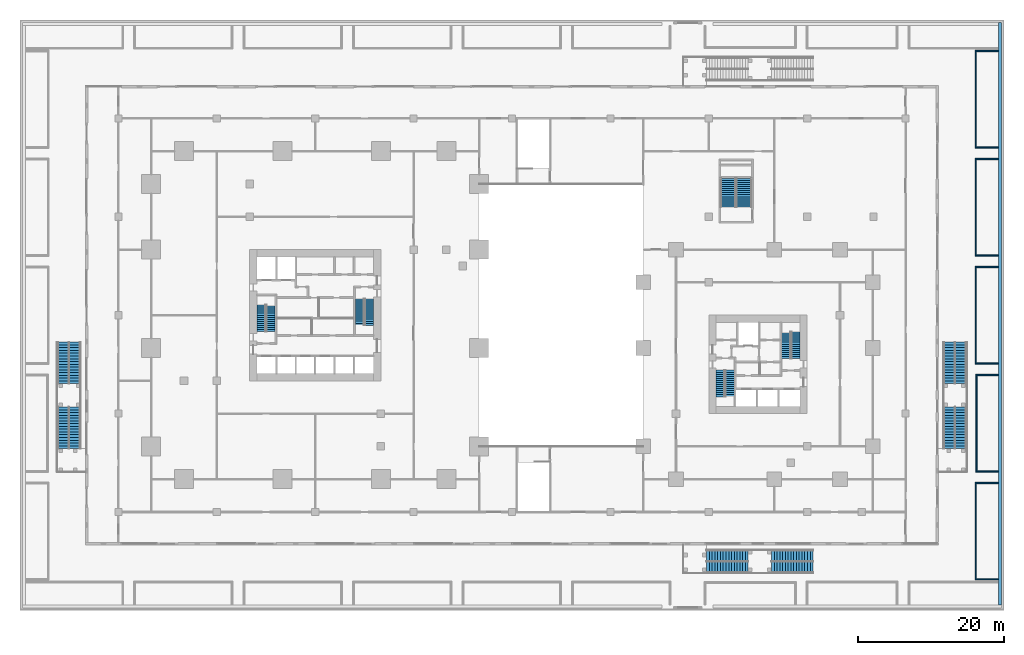
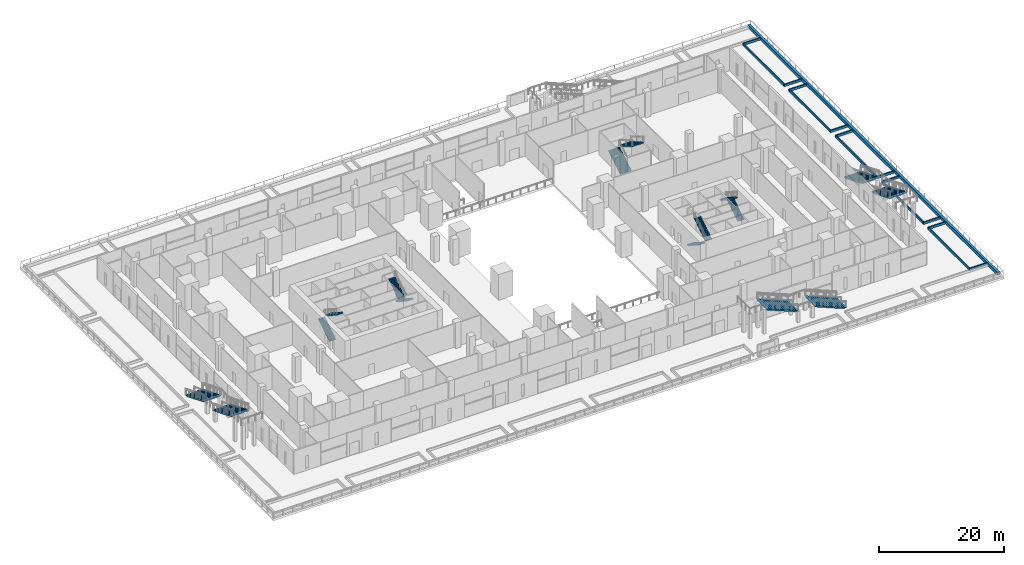
# One storey, part 42 of 49: 16 stair flights, 16 walls, 8 elements without a shape of their own.
"""IFC4 building model written with IfcOpenShell, lengths in metres."""

from ifc_helpers import new_model, si_unit, direction, frame, frame_2d, origin, place, context, subcontext, project, spatial, polyline, rectangle, outline, extrude, material, layer, layer_set, type_object, element, aggregate, save


model = new_model("IFC4")

# Units and contexts
model_context = context("Model", 3, precision=1e-05, world=origin(), true_north=direction((0.0, 1.0)))
body_context = subcontext(model_context, "Body", "Model", "MODEL_VIEW")
ifc_project = project(units=[si_unit("LENGTHUNIT", "METRE"), si_unit("AREAUNIT", "SQUARE_METRE"), si_unit("VOLUMEUNIT", "CUBIC_METRE"), si_unit("PLANEANGLEUNIT", "RADIAN"), si_unit("MASSUNIT", "GRAM", prefix="KILO")], contexts=[model_context])

# Site, building, storey
site_placement = place(None, origin())
site = spatial("IfcSite", under=ifc_project, at=site_placement, CompositionType="ELEMENT")
building_placement = place(site_placement, origin())
building = spatial("IfcBuilding", under=site, at=building_placement, Name="Altepetl Exchange Towers", CompositionType="ELEMENT")
storey_placement = place(building_placement, frame((0.0, 0.0, 11.5)))
storey = spatial("IfcBuildingStorey", under=building, at=storey_placement, Name="L02 Exchange podium", CompositionType="ELEMENT", Elevation=11.5)

# Walls
ifc_material_1 = material(Name="Concrete C30/37", Category="concrete")
ifc_layer_1 = layer(ifc_material_1, 0.449951171875)
ifc_layer_set_1 = layer_set([ifc_layer_1], Name="Concrete C30/37")
wall_type_1 = type_object("IfcWallType", Name="Planter wall 450 concrete", PredefinedType="SOLIDWALL", material=ifc_layer_set_1)
wall_1_placement = place(storey_placement, frame((143.449951171875, 9.77490234375, 0.0), z_axis=(0.0, 0.0, 1.0), x_axis=(0.0, 1.0, 0.0)))
element("IfcWall", 1, at=wall_1_placement, inside=storey, type_object=wall_type_1, Name="Planter bed wall", PredefinedType="SOLIDWALL", context=body_context, shape_type="SweptSolid", body=[
    extrude(rectangle(XDim=79.900146484375, YDim=0.449951171875, at=frame_2d((39.9501953125, 0.0))), origin(), (0.0, 0.0, 1.0), 0.60009765625),
])
ifc_material_2 = material(Name="Reinforced concrete C35/45", Category="concrete")
ifc_layer_2 = layer(ifc_material_2, 0.199951171875)
ifc_layer_set_2 = layer_set([ifc_layer_2], Name="Reinforced concrete C35/45")
wall_type_2 = type_object("IfcWallType", Name="Planting bed curb 200", PredefinedType="SOLIDWALL", material=ifc_layer_set_2)
for number, where, name in (
    (2, (140.02490234375, 26.485107421875, 0.0), "wall:P:L02:CB24n"),
    (3, (140.02490234375, 13.27490234375, 0.0), "wall:P:L02:CB24s"),
):
    element("IfcWall", number, at=place(storey_placement, frame(where)), inside=storey, type_object=wall_type_2, Name=name, PredefinedType="SOLIDWALL", context=body_context, shape_type="SweptSolid", body=[
        extrude(rectangle(XDim=3.2001953125, YDim=0.199951171875, at=frame_2d((1.60009765625, 0.0))), origin(), (0.0, 0.0, 1.0), 0.449951171875),
    ])
wall_2_placement = place(storey_placement, frame((140.125, 13.375, 0.0), z_axis=(0.0, 0.0, 1.0), x_axis=(0.0, 1.0, 0.0)))
element("IfcWall", 4, at=wall_2_placement, inside=storey, type_object=wall_type_2, Name="wall:P:L02:CB24w", PredefinedType="SOLIDWALL", context=body_context, shape_type="SweptSolid", body=[
    extrude(rectangle(XDim=13.010009765625, YDim=0.199951171875, at=frame_2d((6.5048828125, 0.0))), origin(), (0.0, 0.0, 1.0), 0.449951171875),
])
for number, where, name in (
    (5, (140.10009765625, 41.294921875, 0.0), "wall:P:L02:CB25n"),
    (6, (140.10009765625, 28.0849609375, 0.0), "wall:P:L02:CB25s"),
):
    element("IfcWall", number, at=place(storey_placement, frame(where)), inside=storey, type_object=wall_type_2, Name=name, PredefinedType="SOLIDWALL", context=body_context, shape_type="SweptSolid", body=[
        extrude(rectangle(XDim=3.125, YDim=0.199951171875, at=frame_2d((1.5625, 0.0))), origin(), (0.0, 0.0, 1.0), 0.449951171875),
    ])
wall_3_placement = place(storey_placement, frame((140.199951171875, 28.18505859375, 0.0), z_axis=(0.0, 0.0, 1.0), x_axis=(0.0, 1.0, 0.0)))
element("IfcWall", 7, at=wall_3_placement, inside=storey, type_object=wall_type_2, Name="wall:P:L02:CB25w", PredefinedType="SOLIDWALL", context=body_context, shape_type="SweptSolid", body=[
    extrude(rectangle(XDim=13.010009765625, YDim=0.199951171875, at=frame_2d((6.5048828125, 0.0))), origin(), (0.0, 0.0, 1.0), 0.449951171875),
])
for number, where, name in (
    (8, (140.02490234375, 56.10498046875, 0.0), "wall:P:L02:CB26n"),
    (9, (140.02490234375, 42.89501953125, 0.0), "wall:P:L02:CB26s"),
):
    element("IfcWall", number, at=place(storey_placement, frame(where)), inside=storey, type_object=wall_type_2, Name=name, PredefinedType="SOLIDWALL", context=body_context, shape_type="SweptSolid", body=[
        extrude(rectangle(XDim=3.2001953125, YDim=0.199951171875, at=frame_2d((1.60009765625, 0.0))), origin(), (0.0, 0.0, 1.0), 0.449951171875),
    ])
wall_4_placement = place(storey_placement, frame((140.125, 42.9951171875, 0.0), z_axis=(0.0, 0.0, 1.0), x_axis=(0.0, 1.0, 0.0)))
element("IfcWall", 10, at=wall_4_placement, inside=storey, type_object=wall_type_2, Name="wall:P:L02:CB26w", PredefinedType="SOLIDWALL", context=body_context, shape_type="SweptSolid", body=[
    extrude(rectangle(XDim=13.009765625, YDim=0.199951171875, at=frame_2d((6.5048828125, 0.0))), origin(), (0.0, 0.0, 1.0), 0.449951171875),
])
for number, where, name in (
    (11, (140.02490234375, 70.9150390625, 0.0), "wall:P:L02:CB27n"),
    (12, (140.02490234375, 57.705078125, 0.0), "wall:P:L02:CB27s"),
):
    element("IfcWall", number, at=place(storey_placement, frame(where)), inside=storey, type_object=wall_type_2, Name=name, PredefinedType="SOLIDWALL", context=body_context, shape_type="SweptSolid", body=[
        extrude(rectangle(XDim=3.2001953125, YDim=0.199951171875, at=frame_2d((1.60009765625, 0.0))), origin(), (0.0, 0.0, 1.0), 0.449951171875),
    ])
wall_5_placement = place(storey_placement, frame((140.125, 57.804931640625, 0.0), z_axis=(0.0, 0.0, 1.0), x_axis=(0.0, 1.0, 0.0)))
element("IfcWall", 13, at=wall_5_placement, inside=storey, type_object=wall_type_2, Name="wall:P:L02:CB27w", PredefinedType="SOLIDWALL", context=body_context, shape_type="SweptSolid", body=[
    extrude(rectangle(XDim=13.010009765625, YDim=0.199951171875, at=frame_2d((6.5048828125, 0.0))), origin(), (0.0, 0.0, 1.0), 0.449951171875),
])
for number, where, name in (
    (14, (140.02490234375, 85.72509765625, 0.0), "wall:P:L02:CB28n"),
    (15, (140.02490234375, 72.514892578125, 0.0), "wall:P:L02:CB28s"),
):
    element("IfcWall", number, at=place(storey_placement, frame(where)), inside=storey, type_object=wall_type_2, Name=name, PredefinedType="SOLIDWALL", context=body_context, shape_type="SweptSolid", body=[
        extrude(rectangle(XDim=3.2001953125, YDim=0.199951171875, at=frame_2d((1.60009765625, 0.0))), origin(), (0.0, 0.0, 1.0), 0.449951171875),
    ])
wall_6_placement = place(storey_placement, frame((140.125, 72.614990234375, 0.0), z_axis=(0.0, 0.0, 1.0), x_axis=(0.0, 1.0, 0.0)))
element("IfcWall", 16, at=wall_6_placement, inside=storey, type_object=wall_type_2, Name="wall:P:L02:CB28w", PredefinedType="SOLIDWALL", context=body_context, shape_type="SweptSolid", body=[
    extrude(rectangle(XDim=13.010009765625, YDim=0.199951171875, at=frame_2d((6.5048828125, 0.0))), origin(), (0.0, 0.0, 1.0), 0.449951171875),
])

# Stair, stair flights
stair_type_1 = type_object("IfcStairType", Name="Exit garden steps 3200", PredefinedType="TWO_STRAIGHT_RUN_STAIR", material=ifc_material_2)
stair_1_placement = place(storey_placement, origin())
stair_1 = element("IfcStair", 17, at=stair_1_placement, inside=storey, type_object=stair_type_1, Name="ST-G9 exit garden steps", PredefinedType="TWO_STRAIGHT_RUN_STAIR")
stair_flight_type_1 = type_object("IfcStairFlightType", Name="Exit garden steps flight 3200", PredefinedType="STRAIGHT", material=ifc_material_2)
stair_flight_1_placement = place(storey_placement, frame((108.89990234375, 15.699951171875, 2.5), z_axis=(0.0, 0.0, 1.0), x_axis=(-1.0, 0.0, 0.0)))
stair_flight_1 = element("IfcStairFlight", 18, at=stair_flight_1_placement, type_object=stair_flight_type_1, Name="ST-G9 flight 1", NumberOfRisers=16, NumberOfTreads=15, PredefinedType="STRAIGHT", RiserHeight=0.15625, TreadLength=0.38, context=body_context, shape_type="SweptSolid", body=[
    extrude(outline(polyline([(0.0, 0.0), (0.0, 0.15625), (0.3798828125, 0.15625), (0.3798828125, 0.3125), (0.760009765625, 0.3125), (0.760009765625, 0.46875), (1.139892578125, 0.46875), (1.139892578125, 0.625), (1.52001953125, 0.625), (1.52001953125, 0.78125), (1.89990234375, 0.78125), (1.89990234375, 0.9375), (2.280029296875, 0.9375), (2.280029296875, 1.09375), (2.659912109375, 1.09375), (2.659912109375, 1.25), (3.0400390625, 1.25), (3.0400390625, 1.40625), (3.419921875, 1.40625), (3.419921875, 1.5625), (3.800048828125, 1.5625), (3.800048828125, 1.71875), (4.179931640625, 1.71875), (4.179931640625, 1.875), (4.56005859375, 1.875), (4.56005859375, 2.03125), (4.93994140625, 2.03125), (4.93994140625, 2.1875), (5.320068359375, 2.1875), (5.320068359375, 2.34375), (5.699951171875, 2.34375), (5.699951171875, 2.5), (5.699951171875, 2.12744140625), (0.52587890625, 0.0), (0.0, 0.0)])), frame((0.0, 1.60009765625, 0.0), z_axis=(0.0, -1.0, 0.0), x_axis=(1.0, 0.0, 0.0)), (0.0, 0.0, 1.0), 3.199951171875),
])
stair_flight_2_placement = place(storey_placement, frame((117.800048828125, 15.699951171875, 0.0), z_axis=(0.0, 0.0, 1.0), x_axis=(-1.0, 0.0, 0.0)))
stair_flight_2 = element("IfcStairFlight", 19, at=stair_flight_2_placement, type_object=stair_flight_type_1, Name="ST-G9 flight 2", NumberOfRisers=16, NumberOfTreads=15, PredefinedType="STRAIGHT", RiserHeight=0.15625, TreadLength=0.38, context=body_context, shape_type="SweptSolid", body=[
    extrude(outline(polyline([(0.0, 0.0), (0.0, 0.15625), (0.3798828125, 0.15625), (0.3798828125, 0.3125), (0.760009765625, 0.3125), (0.760009765625, 0.46875), (1.139892578125, 0.46875), (1.139892578125, 0.625), (1.52001953125, 0.625), (1.52001953125, 0.78125), (1.89990234375, 0.78125), (1.89990234375, 0.9375), (2.280029296875, 0.9375), (2.280029296875, 1.09375), (2.659912109375, 1.09375), (2.659912109375, 1.25), (3.0400390625, 1.25), (3.0400390625, 1.40625), (3.419921875, 1.40625), (3.419921875, 1.5625), (3.800048828125, 1.5625), (3.800048828125, 1.71875), (4.179931640625, 1.71875), (4.179931640625, 1.875), (4.56005859375, 1.875), (4.56005859375, 2.03125), (4.93994140625, 2.03125), (4.93994140625, 2.1875), (5.320068359375, 2.1875), (5.320068359375, 2.34375), (5.699951171875, 2.34375), (5.699951171875, 2.5), (5.699951171875, 2.12744140625), (0.52587890625, 0.0), (0.0, 0.0)])), frame((0.0, 1.60009765625, 0.0), z_axis=(0.0, -1.0, 0.0), x_axis=(1.0, 0.0, 0.0)), (0.0, 0.0, 1.0), 3.199951171875),
])
aggregate(stair_1, [stair_flight_1, stair_flight_2])

stair_2_placement = place(storey_placement, origin())
stair_2 = element("IfcStair", 20, at=stair_2_placement, inside=storey, type_object=stair_type_1, Name="ST-G15 exit garden steps", PredefinedType="TWO_STRAIGHT_RUN_STAIR")
stair_flight_3_placement = place(storey_placement, frame((15.699951171875, 36.89990234375, 2.5), z_axis=(0.0, 0.0, 1.0), x_axis=(0.0, -1.0, 0.0)))
stair_flight_3 = element("IfcStairFlight", 21, at=stair_flight_3_placement, type_object=stair_flight_type_1, Name="ST-G15 flight 1", NumberOfRisers=16, NumberOfTreads=15, PredefinedType="STRAIGHT", RiserHeight=0.15625, TreadLength=0.38, context=body_context, shape_type="SweptSolid", body=[
    extrude(outline(polyline([(0.0, 0.0), (0.0, 0.15625), (0.3798828125, 0.15625), (0.3798828125, 0.3125), (0.760009765625, 0.3125), (0.760009765625, 0.46875), (1.139892578125, 0.46875), (1.139892578125, 0.625), (1.52001953125, 0.625), (1.52001953125, 0.78125), (1.89990234375, 0.78125), (1.89990234375, 0.9375), (2.280029296875, 0.9375), (2.280029296875, 1.09375), (2.659912109375, 1.09375), (2.659912109375, 1.25), (3.0400390625, 1.25), (3.0400390625, 1.40625), (3.419921875, 1.40625), (3.419921875, 1.5625), (3.800048828125, 1.5625), (3.800048828125, 1.71875), (4.179931640625, 1.71875), (4.179931640625, 1.875), (4.56005859375, 1.875), (4.56005859375, 2.03125), (4.93994140625, 2.03125), (4.93994140625, 2.1875), (5.320068359375, 2.1875), (5.320068359375, 2.34375), (5.699951171875, 2.34375), (5.699951171875, 2.5), (5.699951171875, 2.12744140625), (0.52587890625, 0.0), (0.0, 0.0)])), frame((0.0, 1.60009765625, 0.0), z_axis=(0.0, -1.0, 0.0), x_axis=(1.0, 0.0, 0.0)), (0.0, 0.0, 1.0), 3.199951171875),
])
stair_flight_4_placement = place(storey_placement, frame((15.699951171875, 45.800048828125, 0.0), z_axis=(0.0, 0.0, 1.0), x_axis=(0.0, -1.0, 0.0)))
stair_flight_4 = element("IfcStairFlight", 22, at=stair_flight_4_placement, type_object=stair_flight_type_1, Name="ST-G15 flight 2", NumberOfRisers=16, NumberOfTreads=15, PredefinedType="STRAIGHT", RiserHeight=0.15625, TreadLength=0.38, context=body_context, shape_type="SweptSolid", body=[
    extrude(outline(polyline([(0.0, 0.0), (0.0, 0.15625), (0.3798828125, 0.15625), (0.3798828125, 0.3125), (0.760009765625, 0.3125), (0.760009765625, 0.46875), (1.139892578125, 0.46875), (1.139892578125, 0.625), (1.52001953125, 0.625), (1.52001953125, 0.78125), (1.89990234375, 0.78125), (1.89990234375, 0.9375), (2.280029296875, 0.9375), (2.280029296875, 1.09375), (2.659912109375, 1.09375), (2.659912109375, 1.25), (3.0400390625, 1.25), (3.0400390625, 1.40625), (3.419921875, 1.40625), (3.419921875, 1.5625), (3.800048828125, 1.5625), (3.800048828125, 1.71875), (4.179931640625, 1.71875), (4.179931640625, 1.875), (4.56005859375, 1.875), (4.56005859375, 2.03125), (4.93994140625, 2.03125), (4.93994140625, 2.1875), (5.320068359375, 2.1875), (5.320068359375, 2.34375), (5.699951171875, 2.34375), (5.699951171875, 2.5), (5.699951171875, 2.12744140625), (0.52587890625, 0.0), (0.0, 0.0)])), frame((0.0, 1.60009765625, 0.0), z_axis=(0.0, -1.0, 0.0), x_axis=(1.0, 0.0, 0.0)), (0.0, 0.0, 1.0), 3.199951171875),
])
aggregate(stair_2, [stair_flight_3, stair_flight_4])

stair_3_placement = place(storey_placement, origin())
stair_3 = element("IfcStair", 23, at=stair_3_placement, inside=storey, type_object=stair_type_1, Name="ST-G16 exit garden steps", PredefinedType="TWO_STRAIGHT_RUN_STAIR")
stair_flight_5_placement = place(storey_placement, frame((137.300048828125, 36.89990234375, 2.5), z_axis=(0.0, 0.0, 1.0), x_axis=(0.0, -1.0, 0.0)))
stair_flight_5 = element("IfcStairFlight", 24, at=stair_flight_5_placement, type_object=stair_flight_type_1, Name="ST-G16 flight 1", NumberOfRisers=16, NumberOfTreads=15, PredefinedType="STRAIGHT", RiserHeight=0.15625, TreadLength=0.38, context=body_context, shape_type="SweptSolid", body=[
    extrude(outline(polyline([(0.0, 0.0), (0.0, 0.15625), (0.3798828125, 0.15625), (0.3798828125, 0.3125), (0.760009765625, 0.3125), (0.760009765625, 0.46875), (1.139892578125, 0.46875), (1.139892578125, 0.625), (1.52001953125, 0.625), (1.52001953125, 0.78125), (1.89990234375, 0.78125), (1.89990234375, 0.9375), (2.280029296875, 0.9375), (2.280029296875, 1.09375), (2.659912109375, 1.09375), (2.659912109375, 1.25), (3.0400390625, 1.25), (3.0400390625, 1.40625), (3.419921875, 1.40625), (3.419921875, 1.5625), (3.800048828125, 1.5625), (3.800048828125, 1.71875), (4.179931640625, 1.71875), (4.179931640625, 1.875), (4.56005859375, 1.875), (4.56005859375, 2.03125), (4.93994140625, 2.03125), (4.93994140625, 2.1875), (5.320068359375, 2.1875), (5.320068359375, 2.34375), (5.699951171875, 2.34375), (5.699951171875, 2.5), (5.699951171875, 2.12744140625), (0.52587890625, 0.0), (0.0, 0.0)])), frame((0.0, 1.60009765625, 0.0), z_axis=(0.0, -1.0, 0.0), x_axis=(1.0, 0.0, 0.0)), (0.0, 0.0, 1.0), 3.199951171875),
])
stair_flight_6_placement = place(storey_placement, frame((137.300048828125, 45.800048828125, 0.0), z_axis=(0.0, 0.0, 1.0), x_axis=(0.0, -1.0, 0.0)))
stair_flight_6 = element("IfcStairFlight", 25, at=stair_flight_6_placement, type_object=stair_flight_type_1, Name="ST-G16 flight 2", NumberOfRisers=16, NumberOfTreads=15, PredefinedType="STRAIGHT", RiserHeight=0.15625, TreadLength=0.38, context=body_context, shape_type="SweptSolid", body=[
    extrude(outline(polyline([(0.0, 0.0), (0.0, 0.15625), (0.3798828125, 0.15625), (0.3798828125, 0.3125), (0.760009765625, 0.3125), (0.760009765625, 0.46875), (1.139892578125, 0.46875), (1.139892578125, 0.625), (1.52001953125, 0.625), (1.52001953125, 0.78125), (1.89990234375, 0.78125), (1.89990234375, 0.9375), (2.280029296875, 0.9375), (2.280029296875, 1.09375), (2.659912109375, 1.09375), (2.659912109375, 1.25), (3.0400390625, 1.25), (3.0400390625, 1.40625), (3.419921875, 1.40625), (3.419921875, 1.5625), (3.800048828125, 1.5625), (3.800048828125, 1.71875), (4.179931640625, 1.71875), (4.179931640625, 1.875), (4.56005859375, 1.875), (4.56005859375, 2.03125), (4.93994140625, 2.03125), (4.93994140625, 2.1875), (5.320068359375, 2.1875), (5.320068359375, 2.34375), (5.699951171875, 2.34375), (5.699951171875, 2.5), (5.699951171875, 2.12744140625), (0.52587890625, 0.0), (0.0, 0.0)])), frame((0.0, 1.60009765625, 0.0), z_axis=(0.0, -1.0, 0.0), x_axis=(1.0, 0.0, 0.0)), (0.0, 0.0, 1.0), 3.199951171875),
])
aggregate(stair_3, [stair_flight_5, stair_flight_6])

ifc_material_3 = material(Name="Concrete C40/50", Category="concrete")
stair_type_2 = type_object("IfcStairType", Name="Exit stair 1200 flights dogleg", PredefinedType="HALF_TURN_STAIR", material=ifc_material_3)
stair_4_placement = place(storey_placement, origin())
stair_4 = element("IfcStair", 26, at=stair_4_placement, inside=storey, type_object=stair_type_2, Name="Exit stair 1", PredefinedType="HALF_TURN_STAIR")
stair_flight_type_2 = type_object("IfcStairFlightType", Name="Stair flight 1200 wide", PredefinedType="STRAIGHT", material=ifc_material_3)
stair_flight_7_placement = place(storey_placement, frame((42.10009765625, 47.25, 0.0), z_axis=(0.0, 0.0, 1.0), x_axis=(0.0, 1.0, 0.0)))
stair_flight_7 = element("IfcStairFlight", 27, at=stair_flight_7_placement, type_object=stair_flight_type_2, Name="ST-A1a flight 1", NumberOfRisers=14, NumberOfTreads=13, PredefinedType="STRAIGHT", RiserHeight=0.178571429, TreadLength=0.28, context=body_context, shape_type="SweptSolid", body=[
    extrude(outline(polyline([(0.0, 0.0), (0.0, 0.178466796875), (0.280029296875, 0.178466796875), (0.280029296875, 0.357177734375), (0.56005859375, 0.357177734375), (0.56005859375, 0.53564453125), (0.840087890625, 0.53564453125), (0.840087890625, 0.71435546875), (1.1201171875, 0.71435546875), (1.1201171875, 0.892822265625), (1.39990234375, 0.892822265625), (1.39990234375, 1.071533203125), (1.679931640625, 1.071533203125), (1.679931640625, 1.25), (1.9599609375, 1.25), (1.9599609375, 1.428466796875), (2.239990234375, 1.428466796875), (2.239990234375, 1.607177734375), (2.52001953125, 1.607177734375), (2.52001953125, 1.78564453125), (2.800048828125, 1.78564453125), (2.800048828125, 1.96435546875), (3.080078125, 1.96435546875), (3.080078125, 2.142822265625), (3.360107421875, 2.142822265625), (3.360107421875, 2.321533203125), (3.639892578125, 2.321533203125), (3.639892578125, 2.5), (3.639892578125, 2.1435546875), (0.27880859375, 0.0), (0.0, 0.0)])), frame((0.0, 0.60009765625, 0.0), z_axis=(0.0, -1.0, 0.0), x_axis=(1.0, 0.0, 0.0)), (0.0, 0.0, 1.0), 1.199951171875),
])
stair_flight_8_placement = place(storey_placement, frame((43.39990234375, 50.889892578125, 2.5), z_axis=(0.0, 0.0, 1.0), x_axis=(0.0, -1.0, 0.0)))
stair_flight_8 = element("IfcStairFlight", 28, at=stair_flight_8_placement, type_object=stair_flight_type_2, Name="ST-A1a flight 2", NumberOfRisers=14, NumberOfTreads=13, PredefinedType="STRAIGHT", RiserHeight=0.178571429, TreadLength=0.28, context=body_context, shape_type="SweptSolid", body=[
    extrude(outline(polyline([(0.0, 0.0), (0.0, 0.178466796875), (0.280029296875, 0.178466796875), (0.280029296875, 0.357177734375), (0.56005859375, 0.357177734375), (0.56005859375, 0.53564453125), (0.840087890625, 0.53564453125), (0.840087890625, 0.71435546875), (1.1201171875, 0.71435546875), (1.1201171875, 0.892822265625), (1.39990234375, 0.892822265625), (1.39990234375, 1.071533203125), (1.679931640625, 1.071533203125), (1.679931640625, 1.25), (1.9599609375, 1.25), (1.9599609375, 1.428466796875), (2.239990234375, 1.428466796875), (2.239990234375, 1.607177734375), (2.52001953125, 1.607177734375), (2.52001953125, 1.78564453125), (2.800048828125, 1.78564453125), (2.800048828125, 1.96435546875), (3.080078125, 1.96435546875), (3.080078125, 2.142822265625), (3.360107421875, 2.142822265625), (3.360107421875, 2.321533203125), (3.639892578125, 2.321533203125), (3.639892578125, 2.5), (3.639892578125, 2.1435546875), (0.27880859375, 0.0), (0.0, 0.0)])), frame((0.0, 0.60009765625, 0.0), z_axis=(0.0, -1.0, 0.0), x_axis=(1.0, 0.0, 0.0)), (0.0, 0.0, 1.0), 1.199951171875),
])
aggregate(stair_4, [stair_flight_7, stair_flight_8])

stair_5_placement = place(storey_placement, origin())
stair_5 = element("IfcStair", 29, at=stair_5_placement, inside=storey, type_object=stair_type_2, Name="Exit stair 2", PredefinedType="HALF_TURN_STAIR")
stair_flight_9_placement = place(storey_placement, frame((56.89990234375, 51.75, 0.0), z_axis=(0.0, 0.0, 1.0), x_axis=(0.0, -1.0, 0.0)))
stair_flight_9 = element("IfcStairFlight", 30, at=stair_flight_9_placement, type_object=stair_flight_type_2, Name="ST-A2a flight 1", NumberOfRisers=14, NumberOfTreads=13, PredefinedType="STRAIGHT", RiserHeight=0.178571429, TreadLength=0.28, context=body_context, shape_type="SweptSolid", body=[
    extrude(outline(polyline([(0.0, 0.0), (0.0, 0.178466796875), (0.280029296875, 0.178466796875), (0.280029296875, 0.357177734375), (0.56005859375, 0.357177734375), (0.56005859375, 0.53564453125), (0.840087890625, 0.53564453125), (0.840087890625, 0.71435546875), (1.1201171875, 0.71435546875), (1.1201171875, 0.892822265625), (1.39990234375, 0.892822265625), (1.39990234375, 1.071533203125), (1.679931640625, 1.071533203125), (1.679931640625, 1.25), (1.9599609375, 1.25), (1.9599609375, 1.428466796875), (2.239990234375, 1.428466796875), (2.239990234375, 1.607177734375), (2.52001953125, 1.607177734375), (2.52001953125, 1.78564453125), (2.800048828125, 1.78564453125), (2.800048828125, 1.96435546875), (3.080078125, 1.96435546875), (3.080078125, 2.142822265625), (3.360107421875, 2.142822265625), (3.360107421875, 2.321533203125), (3.639892578125, 2.321533203125), (3.639892578125, 2.5), (3.639892578125, 2.1435546875), (0.27880859375, 0.0), (0.0, 0.0)])), frame((0.0, 0.60009765625, 0.0), z_axis=(0.0, -1.0, 0.0), x_axis=(1.0, 0.0, 0.0)), (0.0, 0.0, 1.0), 1.199951171875),
])
stair_flight_10_placement = place(storey_placement, frame((55.60009765625, 48.110107421875, 2.5), z_axis=(0.0, 0.0, 1.0), x_axis=(0.0, 1.0, 0.0)))
stair_flight_10 = element("IfcStairFlight", 31, at=stair_flight_10_placement, type_object=stair_flight_type_2, Name="ST-A2a flight 2", NumberOfRisers=14, NumberOfTreads=13, PredefinedType="STRAIGHT", RiserHeight=0.178571429, TreadLength=0.28, context=body_context, shape_type="SweptSolid", body=[
    extrude(outline(polyline([(0.0, 0.0), (0.0, 0.178466796875), (0.280029296875, 0.178466796875), (0.280029296875, 0.357177734375), (0.56005859375, 0.357177734375), (0.56005859375, 0.53564453125), (0.840087890625, 0.53564453125), (0.840087890625, 0.71435546875), (1.1201171875, 0.71435546875), (1.1201171875, 0.892822265625), (1.39990234375, 0.892822265625), (1.39990234375, 1.071533203125), (1.679931640625, 1.071533203125), (1.679931640625, 1.25), (1.9599609375, 1.25), (1.9599609375, 1.428466796875), (2.239990234375, 1.428466796875), (2.239990234375, 1.607177734375), (2.52001953125, 1.607177734375), (2.52001953125, 1.78564453125), (2.800048828125, 1.78564453125), (2.800048828125, 1.96435546875), (3.080078125, 1.96435546875), (3.080078125, 2.142822265625), (3.360107421875, 2.142822265625), (3.360107421875, 2.321533203125), (3.639892578125, 2.321533203125), (3.639892578125, 2.5), (3.639892578125, 2.1435546875), (0.27880859375, 0.0), (0.0, 0.0)])), frame((0.0, 0.60009765625, 0.0), z_axis=(0.0, -1.0, 0.0), x_axis=(1.0, 0.0, 0.0)), (0.0, 0.0, 1.0), 1.199951171875),
])
aggregate(stair_5, [stair_flight_9, stair_flight_10])

stair_6_placement = place(storey_placement, origin())
stair_6 = element("IfcStair", 32, at=stair_6_placement, inside=storey, type_object=stair_type_2, Name="Exit stair 1", PredefinedType="HALF_TURN_STAIR")
stair_flight_11_placement = place(storey_placement, frame((105.10009765625, 41.949951171875, 0.0), z_axis=(0.0, 0.0, 1.0), x_axis=(0.0, -1.0, 0.0)))
stair_flight_11 = element("IfcStairFlight", 33, at=stair_flight_11_placement, type_object=stair_flight_type_2, Name="ST-B1a flight 1", NumberOfRisers=14, NumberOfTreads=13, PredefinedType="STRAIGHT", RiserHeight=0.178571429, TreadLength=0.28, context=body_context, shape_type="SweptSolid", body=[
    extrude(outline(polyline([(0.0, 0.0), (0.0, 0.178466796875), (0.280029296875, 0.178466796875), (0.280029296875, 0.357177734375), (0.56005859375, 0.357177734375), (0.56005859375, 0.53564453125), (0.840087890625, 0.53564453125), (0.840087890625, 0.71435546875), (1.1201171875, 0.71435546875), (1.1201171875, 0.892822265625), (1.39990234375, 0.892822265625), (1.39990234375, 1.071533203125), (1.679931640625, 1.071533203125), (1.679931640625, 1.25), (1.9599609375, 1.25), (1.9599609375, 1.428466796875), (2.239990234375, 1.428466796875), (2.239990234375, 1.607177734375), (2.52001953125, 1.607177734375), (2.52001953125, 1.78564453125), (2.800048828125, 1.78564453125), (2.800048828125, 1.96435546875), (3.080078125, 1.96435546875), (3.080078125, 2.142822265625), (3.360107421875, 2.142822265625), (3.360107421875, 2.321533203125), (3.639892578125, 2.321533203125), (3.639892578125, 2.5), (3.639892578125, 2.1435546875), (0.27880859375, 0.0), (0.0, 0.0)])), frame((0.0, 0.60009765625, 0.0), z_axis=(0.0, -1.0, 0.0), x_axis=(1.0, 0.0, 0.0)), (0.0, 0.0, 1.0), 1.199951171875),
])
stair_flight_12_placement = place(storey_placement, frame((106.39990234375, 38.31005859375, 2.5), z_axis=(0.0, 0.0, 1.0), x_axis=(0.0, 1.0, 0.0)))
stair_flight_12 = element("IfcStairFlight", 34, at=stair_flight_12_placement, type_object=stair_flight_type_2, Name="ST-B1a flight 2", NumberOfRisers=14, NumberOfTreads=13, PredefinedType="STRAIGHT", RiserHeight=0.178571429, TreadLength=0.28, context=body_context, shape_type="SweptSolid", body=[
    extrude(outline(polyline([(0.0, 0.0), (0.0, 0.178466796875), (0.280029296875, 0.178466796875), (0.280029296875, 0.357177734375), (0.56005859375, 0.357177734375), (0.56005859375, 0.53564453125), (0.840087890625, 0.53564453125), (0.840087890625, 0.71435546875), (1.1201171875, 0.71435546875), (1.1201171875, 0.892822265625), (1.39990234375, 0.892822265625), (1.39990234375, 1.071533203125), (1.679931640625, 1.071533203125), (1.679931640625, 1.25), (1.9599609375, 1.25), (1.9599609375, 1.428466796875), (2.239990234375, 1.428466796875), (2.239990234375, 1.607177734375), (2.52001953125, 1.607177734375), (2.52001953125, 1.78564453125), (2.800048828125, 1.78564453125), (2.800048828125, 1.96435546875), (3.080078125, 1.96435546875), (3.080078125, 2.142822265625), (3.360107421875, 2.142822265625), (3.360107421875, 2.321533203125), (3.639892578125, 2.321533203125), (3.639892578125, 2.5), (3.639892578125, 2.1435546875), (0.27880859375, 0.0), (0.0, 0.0)])), frame((0.0, 0.60009765625, 0.0), z_axis=(0.0, -1.0, 0.0), x_axis=(1.0, 0.0, 0.0)), (0.0, 0.0, 1.0), 1.199951171875),
])
aggregate(stair_6, [stair_flight_11, stair_flight_12])

stair_7_placement = place(storey_placement, origin())
stair_7 = element("IfcStair", 35, at=stair_7_placement, inside=storey, type_object=stair_type_2, Name="Exit stair 2", PredefinedType="HALF_TURN_STAIR")
stair_flight_13_placement = place(storey_placement, frame((115.39990234375, 43.550048828125, 0.0), z_axis=(0.0, 0.0, 1.0), x_axis=(0.0, 1.0, 0.0)))
stair_flight_13 = element("IfcStairFlight", 36, at=stair_flight_13_placement, type_object=stair_flight_type_2, Name="ST-B2a flight 1", NumberOfRisers=14, NumberOfTreads=13, PredefinedType="STRAIGHT", RiserHeight=0.178571429, TreadLength=0.28, context=body_context, shape_type="SweptSolid", body=[
    extrude(outline(polyline([(0.0, 0.0), (0.0, 0.178466796875), (0.280029296875, 0.178466796875), (0.280029296875, 0.357177734375), (0.56005859375, 0.357177734375), (0.56005859375, 0.53564453125), (0.840087890625, 0.53564453125), (0.840087890625, 0.71435546875), (1.1201171875, 0.71435546875), (1.1201171875, 0.892822265625), (1.39990234375, 0.892822265625), (1.39990234375, 1.071533203125), (1.679931640625, 1.071533203125), (1.679931640625, 1.25), (1.9599609375, 1.25), (1.9599609375, 1.428466796875), (2.239990234375, 1.428466796875), (2.239990234375, 1.607177734375), (2.52001953125, 1.607177734375), (2.52001953125, 1.78564453125), (2.800048828125, 1.78564453125), (2.800048828125, 1.96435546875), (3.080078125, 1.96435546875), (3.080078125, 2.142822265625), (3.360107421875, 2.142822265625), (3.360107421875, 2.321533203125), (3.639892578125, 2.321533203125), (3.639892578125, 2.5), (3.639892578125, 2.1435546875), (0.27880859375, 0.0), (0.0, 0.0)])), frame((0.0, 0.60009765625, 0.0), z_axis=(0.0, -1.0, 0.0), x_axis=(1.0, 0.0, 0.0)), (0.0, 0.0, 1.0), 1.199951171875),
])
stair_flight_14_placement = place(storey_placement, frame((114.10009765625, 47.18994140625, 2.5), z_axis=(0.0, 0.0, 1.0), x_axis=(0.0, -1.0, 0.0)))
stair_flight_14 = element("IfcStairFlight", 37, at=stair_flight_14_placement, type_object=stair_flight_type_2, Name="ST-B2a flight 2", NumberOfRisers=14, NumberOfTreads=13, PredefinedType="STRAIGHT", RiserHeight=0.178571429, TreadLength=0.28, context=body_context, shape_type="SweptSolid", body=[
    extrude(outline(polyline([(0.0, 0.0), (0.0, 0.178466796875), (0.280029296875, 0.178466796875), (0.280029296875, 0.357177734375), (0.56005859375, 0.357177734375), (0.56005859375, 0.53564453125), (0.840087890625, 0.53564453125), (0.840087890625, 0.71435546875), (1.1201171875, 0.71435546875), (1.1201171875, 0.892822265625), (1.39990234375, 0.892822265625), (1.39990234375, 1.071533203125), (1.679931640625, 1.071533203125), (1.679931640625, 1.25), (1.9599609375, 1.25), (1.9599609375, 1.428466796875), (2.239990234375, 1.428466796875), (2.239990234375, 1.607177734375), (2.52001953125, 1.607177734375), (2.52001953125, 1.78564453125), (2.800048828125, 1.78564453125), (2.800048828125, 1.96435546875), (3.080078125, 1.96435546875), (3.080078125, 2.142822265625), (3.360107421875, 2.142822265625), (3.360107421875, 2.321533203125), (3.639892578125, 2.321533203125), (3.639892578125, 2.5), (3.639892578125, 2.1435546875), (0.27880859375, 0.0), (0.0, 0.0)])), frame((0.0, 0.60009765625, 0.0), z_axis=(0.0, -1.0, 0.0), x_axis=(1.0, 0.0, 0.0)), (0.0, 0.0, 1.0), 1.199951171875),
])
aggregate(stair_7, [stair_flight_13, stair_flight_14])

stair_type_3 = type_object("IfcStairType", Name="Exit half-turn stair 2025", PredefinedType="HALF_TURN_STAIR", material=ifc_material_2)
stair_8_placement = place(storey_placement, origin())
stair_8 = element("IfcStair", 38, at=stair_8_placement, inside=storey, type_object=stair_type_3, Name="ST-P11 stair", PredefinedType="HALF_TURN_STAIR")
stair_flight_type_3 = type_object("IfcStairFlightType", Name="Stair flight 2025", PredefinedType="STRAIGHT", material=ifc_material_2)
stair_flight_15_placement = place(storey_placement, frame((106.16259765625, 64.35009765625, 0.0), z_axis=(0.0, 0.0, 1.0), x_axis=(0.0, 1.0, 0.0)))
stair_flight_15 = element("IfcStairFlight", 39, at=stair_flight_15_placement, type_object=stair_flight_type_3, Name="ST-P11 flight 1", NumberOfRisers=15, NumberOfTreads=14, PredefinedType="STRAIGHT", RiserHeight=0.166667, TreadLength=0.28, context=body_context, shape_type="SweptSolid", body=[
    extrude(outline(polyline([(0.0, 0.0), (0.0, 0.166748046875), (0.280029296875, 0.166748046875), (0.280029296875, 0.333251953125), (0.56005859375, 0.333251953125), (0.56005859375, 0.5), (0.840087890625, 0.5), (0.840087890625, 0.666748046875), (1.1201171875, 0.666748046875), (1.1201171875, 0.833251953125), (1.39990234375, 0.833251953125), (1.39990234375, 1.0), (1.679931640625, 1.0), (1.679931640625, 1.166748046875), (1.9599609375, 1.166748046875), (1.9599609375, 1.333251953125), (2.239990234375, 1.333251953125), (2.239990234375, 1.5), (2.52001953125, 1.5), (2.52001953125, 1.666748046875), (2.800048828125, 1.666748046875), (2.800048828125, 1.833251953125), (3.080078125, 1.833251953125), (3.080078125, 2.0), (3.360107421875, 2.0), (3.360107421875, 2.166748046875), (3.639892578125, 2.166748046875), (3.639892578125, 2.333251953125), (3.919921875, 2.333251953125), (3.919921875, 2.5), (3.919921875, 2.1005859375), (0.390869140625, 0.0), (0.0, 0.0)])), frame((0.0, 1.012451171875, 0.0), z_axis=(0.0, -1.0, 0.0), x_axis=(1.0, 0.0, 0.0)), (0.0, 0.0, 1.0), 2.02490234375),
])
stair_flight_16_placement = place(storey_placement, frame((108.33740234375, 68.27001953125, 2.5), z_axis=(0.0, 0.0, 1.0), x_axis=(0.0, -1.0, 0.0)))
stair_flight_16 = element("IfcStairFlight", 40, at=stair_flight_16_placement, type_object=stair_flight_type_3, Name="ST-P11 flight 2", NumberOfRisers=15, NumberOfTreads=14, PredefinedType="STRAIGHT", RiserHeight=0.166667, TreadLength=0.28, context=body_context, shape_type="SweptSolid", body=[
    extrude(outline(polyline([(0.0, 0.0), (0.0, 0.166748046875), (0.280029296875, 0.166748046875), (0.280029296875, 0.333251953125), (0.56005859375, 0.333251953125), (0.56005859375, 0.5), (0.840087890625, 0.5), (0.840087890625, 0.666748046875), (1.1201171875, 0.666748046875), (1.1201171875, 0.833251953125), (1.39990234375, 0.833251953125), (1.39990234375, 1.0), (1.679931640625, 1.0), (1.679931640625, 1.166748046875), (1.9599609375, 1.166748046875), (1.9599609375, 1.333251953125), (2.239990234375, 1.333251953125), (2.239990234375, 1.5), (2.52001953125, 1.5), (2.52001953125, 1.666748046875), (2.800048828125, 1.666748046875), (2.800048828125, 1.833251953125), (3.080078125, 1.833251953125), (3.080078125, 2.0), (3.360107421875, 2.0), (3.360107421875, 2.166748046875), (3.639892578125, 2.166748046875), (3.639892578125, 2.333251953125), (3.919921875, 2.333251953125), (3.919921875, 2.5), (3.919921875, 2.1005859375), (0.390869140625, 0.0), (0.0, 0.0)])), frame((0.0, 1.012451171875, 0.0), z_axis=(0.0, -1.0, 0.0), x_axis=(1.0, 0.0, 0.0)), (0.0, 0.0, 1.0), 2.02490234375),
])
aggregate(stair_8, [stair_flight_15, stair_flight_16])

save(model, "model.ifc")
